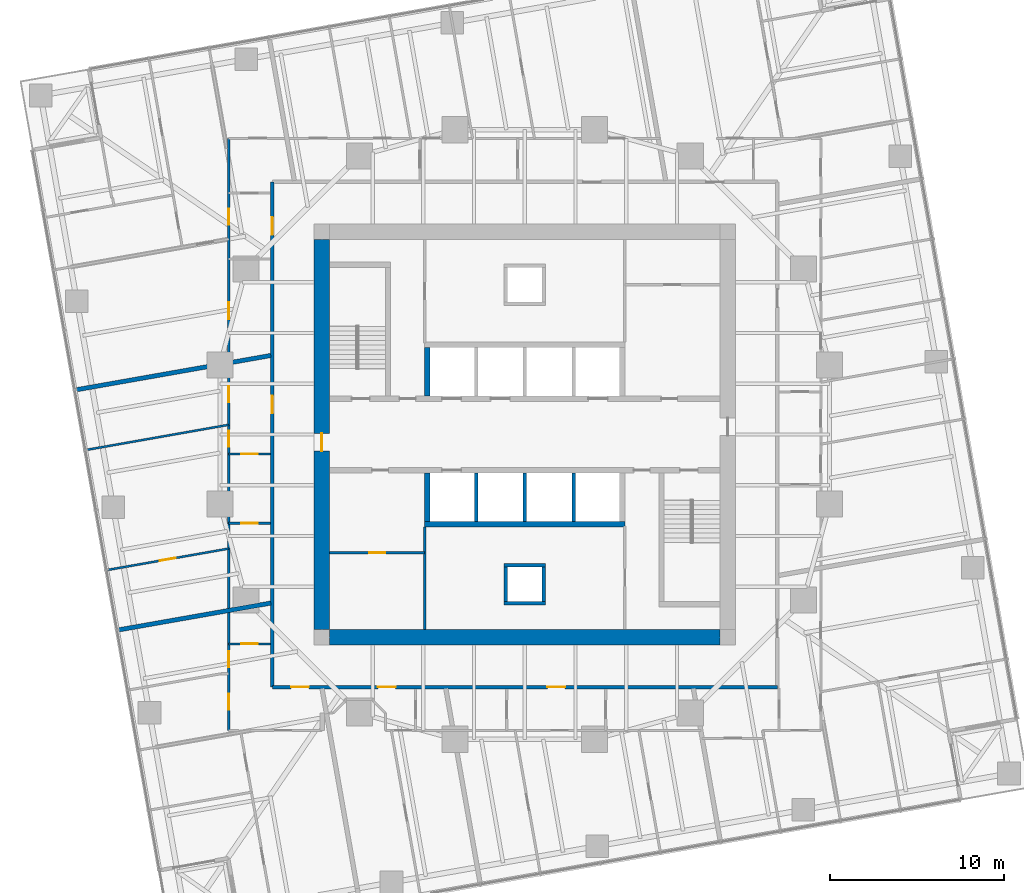
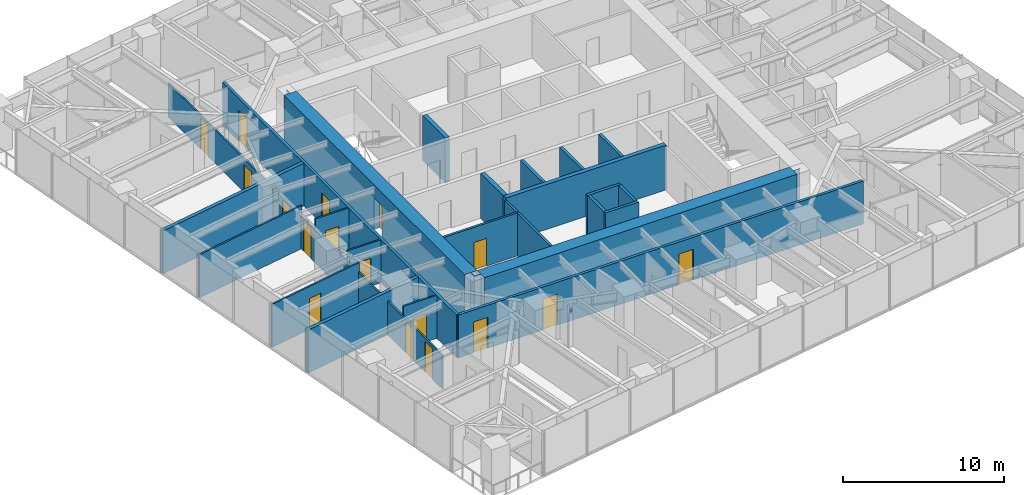
# One storey, part 9 of 14: 24 walls, 17 doors, 17 openings.
"""IFC4 building model written with IfcOpenShell, lengths in metres."""

from ifc_helpers import new_model, si_unit, direction, frame, frame_2d, origin, place, context, subcontext, project, spatial, polyline, rectangle, outline, extrude, material, layer, layer_set, type_object, element, fill, save


model = new_model("IFC4")

# Units and contexts
model_context = context("Model", 3, precision=1e-05, world=origin(), true_north=direction((0.0, 1.0)))
body_context = subcontext(model_context, "Body", "Model", "MODEL_VIEW")
ifc_project = project(units=[si_unit("LENGTHUNIT", "METRE"), si_unit("AREAUNIT", "SQUARE_METRE"), si_unit("VOLUMEUNIT", "CUBIC_METRE"), si_unit("PLANEANGLEUNIT", "RADIAN"), si_unit("MASSUNIT", "GRAM", prefix="KILO")], contexts=[model_context])

# Site, building, storey
site_placement = place(None, origin())
site = spatial("IfcSite", under=ifc_project, at=site_placement, CompositionType="ELEMENT")
building_placement = place(site_placement, origin())
building = spatial("IfcBuilding", under=site, at=building_placement, Name="Torsade Residences", CompositionType="ELEMENT")
storey_placement = place(building_placement, frame((0.0, 0.0, 79.39990234375)))
storey = spatial("IfcBuildingStorey", under=building, at=storey_placement, Name="L21", CompositionType="ELEMENT", Elevation=79.39990234375)

# Walls
ifc_material_1 = material(Name="Concrete 80 MPa", Category="concrete")
ifc_layer_1 = layer(ifc_material_1, 0.300048828125)
ifc_layer_set_1 = layer_set([ifc_layer_1], Name="Concrete 80 MPa")
wall_type_1 = type_object("IfcWallType", Name="CORE INTERNAL WALL 300", PredefinedType="SHEAR", material=ifc_layer_set_1)
wall_1_placement = place(storey_placement, frame((45.75, 24.85009765625, 0.0), z_axis=(0.0, 0.0, 1.0), x_axis=(-1.0, 0.0, 0.0)))
element("IfcWall", 1, at=wall_1_placement, inside=storey, type_object=wall_type_1, Name="Core wall BS L21", PredefinedType="SHEAR", context=body_context, shape_type="SweptSolid", body=[
    extrude(rectangle(XDim=11.5, YDim=0.300048828125, at=frame_2d((5.75, 0.0))), origin(), (0.0, 0.0, 1.0), 3.400146484375),
])
for number, where, z_axis, x_axis, name in (
    (2, (34.39990234375, 32.199951171875, 0.0), (0.0, 0.0, 1.0), (0.0, 1.0, 0.0), "Core wall DN0 L21"),
    (3, (34.39990234375, 27.800048828125, 0.0), (0.0, 0.0, 1.0), (0.0, -1.0, 0.0), "Core wall DS4 L21"),
):
    element("IfcWall", number, at=place(storey_placement, frame(where, z_axis=z_axis, x_axis=x_axis)), inside=storey, type_object=wall_type_1, Name=name, PredefinedType="SHEAR", context=body_context, shape_type="SweptSolid", body=[
        extrude(rectangle(XDim=2.800048828125, YDim=0.300048828125, at=frame_2d((1.39990234375, 0.0))), origin(), (0.0, 0.0, 1.0), 3.400146484375),
    ])
ifc_material_2 = material(Name="Concrete 80 MPa", Category="concrete")
ifc_layer_2 = layer(ifc_material_2, 0.89990234375)
ifc_layer_set_2 = layer_set([ifc_layer_2], Name="Concrete 80 MPa")
wall_type_2 = type_object("IfcWallType", Name="CORE WALL 900", PredefinedType="SHEAR", material=ifc_layer_set_2)
wall_2_placement = place(storey_placement, frame((51.199951171875, 18.35009765625, 0.0), z_axis=(0.0, 0.0, 1.0), x_axis=(-1.0, 0.0, 0.0)))
element("IfcWall", 4, at=wall_2_placement, inside=storey, type_object=wall_type_2, Name="Core wall S L21", PredefinedType="SHEAR", context=body_context, shape_type="SweptSolid", body=[
    extrude(outline(polyline([(0.0, -0.449951171875), (22.39990234375, -0.449951171875), (22.39990234375, -0.02490234375), (22.849853515625, -0.02490234375), (22.849853515625, 0.02490234375), (22.39990234375, 0.02490234375), (22.39990234375, 0.449951171875), (0.0, 0.449951171875), (0.0, 0.02490234375), (-0.449951171875, 0.02490234375), (-0.449951171875, -0.02490234375), (0.0, -0.02490234375), (0.0, -0.449951171875)])), origin(), (0.0, 0.0, 1.0), 3.400146484375),
])

# Wall, opening, door
wall_3_placement = place(storey_placement, frame((28.35009765625, 41.199951171875, 0.0), z_axis=(0.0, 0.0, 1.0), x_axis=(0.0, -1.0, 0.0)))
wall_3 = element("IfcWall", 5, at=wall_3_placement, inside=storey, type_object=wall_type_2, Name="Core wall W L21", PredefinedType="SHEAR", context=body_context, shape_type="SweptSolid", body=[
    extrude(outline(polyline([(0.0, -0.449951171875), (22.39990234375, -0.449951171875), (22.39990234375, -0.02490234375), (22.849853515625, -0.02490234375), (22.849853515625, 0.02490234375), (22.39990234375, 0.02490234375), (22.39990234375, 0.449951171875), (0.0, 0.449951171875), (0.0, 0.02490234375), (-0.449951171875, 0.02490234375), (-0.449951171875, -0.02490234375), (0.0, -0.02490234375), (0.0, -0.449951171875)])), origin(), (0.0, 0.0, 1.0), 3.400146484375),
])
opening_1_placement = place(wall_3_placement, frame((11.139892578125, 0.0, 0.0)))
opening_1 = element("IfcOpeningElement", 6, at=opening_1_placement, cuts=wall_3, Name="Opening D04", PredefinedType="OPENING", context=body_context, shape_type="SweptSolid", body=[
    extrude(rectangle(XDim=1.02001953125, YDim=2.39990234375, at=frame_2d((0.510009765625, 1.199951171875))), frame((0.0, 0.4599609375, 0.0), z_axis=(0.0, -1.0, 0.0), x_axis=(1.0, 0.0, 0.0)), (0.0, 0.0, 1.0), 0.919921875),
])
ifc_material_3 = material(Name="Steel-framed fire door", Category="steel")
door_type_1 = type_object("IfcDoorType", Name="LOBBY SMOKE DOOR 1020x2400", OperationType="NOTDEFINED", PredefinedType="DOOR", material=ifc_material_3)
door_1_placement = place(opening_1_placement, origin())
door_1 = element("IfcDoor", 7, at=door_1_placement, inside=storey, type_object=door_type_1, Name="Lift lobby door W L21", OperationType="SINGLE_SWING_RIGHT", OverallHeight=2.39990234375, OverallWidth=1.02001953125, PredefinedType="DOOR", context=body_context, shape_type="SweptSolid", body=[
    extrude(rectangle(XDim=1.02001953125, YDim=2.39990234375, at=frame_2d((0.510009765625, 1.199951171875))), frame((0.0, 0.02490234375, 0.0), z_axis=(0.0, -1.0, 0.0), x_axis=(1.0, 0.0, 0.0)), (0.0, 0.0, 1.0), 0.050048828125),
])
fill(opening_1, door_1)

# Wall, openings, doors
ifc_material_4 = material(Name="Plasterboard on steel stud", Category="steel")
ifc_layer_3 = layer(ifc_material_4, 0.199951171875)
ifc_layer_set_3 = layer_set([ifc_layer_3], Name="Plasterboard on steel stud")
wall_type_3 = type_object("IfcWallType", Name="CORRIDOR WALL 200", PredefinedType="PARTITIONING", material=ifc_layer_set_3)
wall_4_placement = place(storey_placement, frame((25.5, 15.5, 0.0), z_axis=(0.0, 0.0, 1.0), x_axis=(1.0, 0.0, 0.0)))
wall_4 = element("IfcWall", 8, at=wall_4_placement, inside=storey, type_object=wall_type_3, Name="Corridor wall L21", PredefinedType="PARTITIONING", context=body_context, shape_type="SweptSolid", body=[
    extrude(rectangle(XDim=29.0, YDim=0.199951171875, at=frame_2d((14.5, 0.0))), origin(), (0.0, 0.0, 1.0), 3.25),
])
opening_2_placement = place(wall_4_placement, frame((15.79443359375, 0.0, 0.0)))
opening_2 = element("IfcOpeningElement", 9, at=opening_2_placement, cuts=wall_4, Name="Opening D01", PredefinedType="OPENING", context=body_context, shape_type="SweptSolid", body=[
    extrude(rectangle(XDim=1.02001953125, YDim=2.340087890625, at=frame_2d((0.510009765625, 1.169921875))), frame((0.0, 0.10986328125, 0.0), z_axis=(0.0, -1.0, 0.0), x_axis=(1.0, 0.0, 0.0)), (0.0, 0.0, 1.0), 0.219970703125),
])
opening_3_placement = place(wall_4_placement, frame((6.0673828125, 0.0, 0.0)))
opening_3 = element("IfcOpeningElement", 10, at=opening_3_placement, cuts=wall_4, Name="Opening D01", PredefinedType="OPENING", context=body_context, shape_type="SweptSolid", body=[
    extrude(rectangle(XDim=1.02001953125, YDim=2.340087890625, at=frame_2d((0.510009765625, 1.169921875))), frame((0.0, 0.10986328125, 0.0), z_axis=(0.0, -1.0, 0.0), x_axis=(1.0, 0.0, 0.0)), (0.0, 0.0, 1.0), 0.219970703125),
])
opening_4_placement = place(wall_4_placement, frame((1.07861328125, 0.0, 0.0)))
opening_4 = element("IfcOpeningElement", 11, at=opening_4_placement, cuts=wall_4, Name="Opening D01", PredefinedType="OPENING", context=body_context, shape_type="SweptSolid", body=[
    extrude(rectangle(XDim=1.02001953125, YDim=2.340087890625, at=frame_2d((0.510009765625, 1.169921875))), frame((0.0, 0.10986328125, 0.0), z_axis=(0.0, -1.0, 0.0), x_axis=(1.0, 0.0, 0.0)), (0.0, 0.0, 1.0), 0.219970703125),
])
ifc_material_5 = material(Name="Solid-core timber fire door", Category="wood")
door_type_2 = type_object("IfcDoorType", Name="APARTMENT ENTRY DOOR 1020x2340", OperationType="NOTDEFINED", PredefinedType="DOOR", material=ifc_material_5)
door_2_placement = place(opening_2_placement, origin())
door_2 = element("IfcDoor", 12, at=door_2_placement, inside=storey, type_object=door_type_2, Name="Door Residential corridor to Kitchen and dining", OperationType="SINGLE_SWING_LEFT", OverallHeight=2.340087890625, OverallWidth=1.02001953125, PredefinedType="DOOR", context=body_context, shape_type="SweptSolid", body=[
    extrude(rectangle(XDim=1.02001953125, YDim=2.340087890625, at=frame_2d((0.510009765625, 1.169921875))), frame((0.0, 0.02490234375, 0.0), z_axis=(0.0, -1.0, 0.0), x_axis=(1.0, 0.0, 0.0)), (0.0, 0.0, 1.0), 0.050048828125),
])
fill(opening_2, door_2)
door_3_placement = place(opening_3_placement, origin())
door_3 = element("IfcDoor", 13, at=door_3_placement, inside=storey, type_object=door_type_2, Name="Door Residential corridor to Kitchen and dining", OperationType="SINGLE_SWING_RIGHT", OverallHeight=2.340087890625, OverallWidth=1.02001953125, PredefinedType="DOOR", context=body_context, shape_type="SweptSolid", body=[
    extrude(rectangle(XDim=1.02001953125, YDim=2.340087890625, at=frame_2d((0.510009765625, 1.169921875))), frame((0.0, 0.02490234375, 0.0), z_axis=(0.0, -1.0, 0.0), x_axis=(1.0, 0.0, 0.0)), (0.0, 0.0, 1.0), 0.050048828125),
])
fill(opening_3, door_3)
door_4_placement = place(opening_4_placement, origin())
door_4 = element("IfcDoor", 14, at=door_4_placement, inside=storey, type_object=door_type_2, Name="Door Residential corridor to Kitchen and dining", OperationType="SINGLE_SWING_LEFT", OverallHeight=2.340087890625, OverallWidth=1.02001953125, PredefinedType="DOOR", context=body_context, shape_type="SweptSolid", body=[
    extrude(rectangle(XDim=1.02001953125, YDim=2.340087890625, at=frame_2d((0.510009765625, 1.169921875))), frame((0.0, 0.02490234375, 0.0), z_axis=(0.0, -1.0, 0.0), x_axis=(1.0, 0.0, 0.0)), (0.0, 0.0, 1.0), 0.050048828125),
])
fill(opening_4, door_4)

wall_5_placement = place(storey_placement, frame((25.5, 44.5, 0.0), z_axis=(0.0, 0.0, 1.0), x_axis=(0.0, -1.0, 0.0)))
wall_5 = element("IfcWall", 15, at=wall_5_placement, inside=storey, type_object=wall_type_3, Name="Corridor wall L21", PredefinedType="PARTITIONING", context=body_context, shape_type="SweptSolid", body=[
    extrude(rectangle(XDim=29.0, YDim=0.199951171875, at=frame_2d((14.5, 0.0))), origin(), (0.0, 0.0, 1.0), 3.25),
])
opening_5_placement = place(wall_5_placement, frame((12.262939453125, 0.0, 0.0)))
opening_5 = element("IfcOpeningElement", 16, at=opening_5_placement, cuts=wall_5, Name="Opening D01", PredefinedType="OPENING", context=body_context, shape_type="SweptSolid", body=[
    extrude(rectangle(XDim=1.02001953125, YDim=2.340087890625, at=frame_2d((0.510009765625, 1.169921875))), frame((0.0, 0.10986328125, 0.0), z_axis=(0.0, -1.0, 0.0), x_axis=(1.0, 0.0, 0.0)), (0.0, 0.0, 1.0), 0.219970703125),
])
opening_6_placement = place(wall_5_placement, frame((2.01806640625, 0.0, 0.0)))
opening_6 = element("IfcOpeningElement", 17, at=opening_6_placement, cuts=wall_5, Name="Opening D01", PredefinedType="OPENING", context=body_context, shape_type="SweptSolid", body=[
    extrude(rectangle(XDim=1.02001953125, YDim=2.340087890625, at=frame_2d((0.510009765625, 1.169921875))), frame((0.0, 0.10986328125, 0.0), z_axis=(0.0, -1.0, 0.0), x_axis=(1.0, 0.0, 0.0)), (0.0, 0.0, 1.0), 0.219970703125),
])
door_5_placement = place(opening_5_placement, origin())
door_5 = element("IfcDoor", 18, at=door_5_placement, inside=storey, type_object=door_type_2, Name="Door Residential corridor to Kitchen and dining", OperationType="SINGLE_SWING_RIGHT", OverallHeight=2.340087890625, OverallWidth=1.02001953125, PredefinedType="DOOR", context=body_context, shape_type="SweptSolid", body=[
    extrude(rectangle(XDim=1.02001953125, YDim=2.340087890625, at=frame_2d((0.510009765625, 1.169921875))), frame((0.0, 0.02490234375, 0.0), z_axis=(0.0, -1.0, 0.0), x_axis=(1.0, 0.0, 0.0)), (0.0, 0.0, 1.0), 0.050048828125),
])
fill(opening_5, door_5)
door_6_placement = place(opening_6_placement, origin())
door_6 = element("IfcDoor", 19, at=door_6_placement, inside=storey, type_object=door_type_2, Name="Door Residential corridor to Kitchen and dining", OperationType="SINGLE_SWING_LEFT", OverallHeight=2.340087890625, OverallWidth=1.02001953125, PredefinedType="DOOR", context=body_context, shape_type="SweptSolid", body=[
    extrude(rectangle(XDim=1.02001953125, YDim=2.340087890625, at=frame_2d((0.510009765625, 1.169921875))), frame((0.0, 0.02490234375, 0.0), z_axis=(0.0, -1.0, 0.0), x_axis=(1.0, 0.0, 0.0)), (0.0, 0.0, 1.0), 0.050048828125),
])
fill(opening_6, door_6)

# Walls
ifc_material_6 = material(Name="Reinforced blockwork", Category="masonry")
ifc_layer_4 = layer(ifc_material_6, 0.199951171875)
ifc_layer_set_4 = layer_set([ifc_layer_4], Name="Reinforced blockwork")
wall_type_4 = type_object("IfcWallType", Name="LIFT SHAFT DIVIDING WALL 200", PredefinedType="SOLIDWALL", material=ifc_layer_set_4)
for number, where, z_axis, x_axis, name in (
    (20, (42.800048828125, 27.800048828125, 0.0), (0.0, 0.0, 1.0), (0.0, -1.0, 0.0), "Core wall DS1 L21"),
    (21, (40.0, 27.800048828125, 0.0), (0.0, 0.0, 1.0), (0.0, -1.0, 0.0), "Core wall DS2 L21"),
    (22, (37.199951171875, 27.800048828125, 0.0), (0.0, 0.0, 1.0), (0.0, -1.0, 0.0), "Core wall DS3 L21"),
):
    element("IfcWall", number, at=place(storey_placement, frame(where, z_axis=z_axis, x_axis=x_axis)), inside=storey, type_object=wall_type_4, Name=name, PredefinedType="SOLIDWALL", context=body_context, shape_type="SweptSolid", body=[
        extrude(rectangle(XDim=2.800048828125, YDim=0.199951171875, at=frame_2d((1.39990234375, 0.0))), origin(), (0.0, 0.0, 1.0), 3.400146484375),
    ])

# Wall, opening, door
ifc_material_7 = material(Name="Plasterboard on steel stud", Category="steel")
ifc_layer_5 = layer(ifc_material_7, 0.1201171875)
ifc_layer_set_5 = layer_set([ifc_layer_5], Name="Plasterboard on steel stud")
wall_type_5 = type_object("IfcWallType", Name="PARTITION 120", PredefinedType="PARTITIONING", material=ifc_layer_set_5)
wall_6_placement = place(storey_placement, frame((25.39990234375, 28.881591796875, 0.0), z_axis=(0.0, 0.0, 1.0), x_axis=(-1.0, 0.0, 0.0)))
wall_6 = element("IfcWall", 23, at=wall_6_placement, inside=storey, type_object=wall_type_5, Name="Partition L21", PredefinedType="PARTITIONING", context=body_context, shape_type="SweptSolid", body=[
    extrude(rectangle(XDim=2.39990234375, YDim=0.1201171875, at=frame_2d((1.199951171875, 0.0))), origin(), (0.0, 0.0, 1.0), 3.25),
])
opening_7_placement = place(wall_6_placement, frame((0.719970703125, 0.0, 0.0)))
opening_7 = element("IfcOpeningElement", 24, at=opening_7_placement, cuts=wall_6, Name="Opening D05", PredefinedType="OPENING", context=body_context, shape_type="SweptSolid", body=[
    extrude(rectangle(XDim=0.9599609375, YDim=2.10009765625, at=frame_2d((0.47998046875, 1.050048828125))), frame((0.0, 0.070068359375, 0.0), z_axis=(0.0, -1.0, 0.0), x_axis=(1.0, 0.0, 0.0)), (0.0, 0.0, 1.0), 0.14013671875),
])
ifc_material_8 = material(Name="Hollow-core timber door in a steel cavity frame", Category="steel")
door_type_3 = type_object("IfcDoorType", Name="BATHROOM CAVITY SLIDING DOOR 960", OperationType="SLIDING_TO_LEFT", PredefinedType="DOOR", material=ifc_material_8)
door_7_placement = place(opening_7_placement, origin())
door_7 = element("IfcDoor", 25, at=door_7_placement, inside=storey, type_object=door_type_3, Name="Door Kitchen and dining to Ensuite", OperationType="SLIDING_TO_LEFT", OverallHeight=2.10009765625, OverallWidth=0.9599609375, PredefinedType="DOOR", context=body_context, shape_type="SweptSolid", body=[
    extrude(rectangle(XDim=0.9599609375, YDim=2.10009765625, at=frame_2d((0.47998046875, 1.050048828125))), frame((0.0, 0.02490234375, 0.0), z_axis=(0.0, -1.0, 0.0), x_axis=(1.0, 0.0, 0.0)), (0.0, 0.0, 1.0), 0.050048828125),
])
fill(opening_7, door_7)

# Wall, openings, doors
wall_7_placement = place(storey_placement, frame((23.0, 13.0, 0.0), z_axis=(0.0, 0.0, 1.0), x_axis=(0.0, 1.0, 0.0)))
wall_7 = element("IfcWall", 26, at=wall_7_placement, inside=storey, type_object=wall_type_5, Name="Partition L21", PredefinedType="PARTITIONING", context=body_context, shape_type="SweptSolid", body=[
    extrude(rectangle(XDim=34.0, YDim=0.1201171875, at=frame_2d((17.0, 0.0))), origin(), (0.0, 0.0, 1.0), 2.550048828125),
])
opening_8_placement = place(wall_7_placement, frame((18.84814453125, 0.0, 0.0)))
opening_8 = element("IfcOpeningElement", 27, at=opening_8_placement, cuts=wall_7, Name="Opening D02", PredefinedType="OPENING", context=body_context, shape_type="SweptSolid", body=[
    extrude(rectangle(XDim=0.919921875, YDim=2.340087890625, at=frame_2d((0.4599609375, 1.169921875))), frame((0.0, 0.070068359375, 0.0), z_axis=(0.0, -1.0, 0.0), x_axis=(1.0, 0.0, 0.0)), (0.0, 0.0, 1.0), 0.14013671875),
])
opening_9_placement = place(wall_7_placement, frame((16.284423828125, 0.0, 0.0)))
opening_9 = element("IfcOpeningElement", 28, at=opening_9_placement, cuts=wall_7, Name="Opening D02", PredefinedType="OPENING", context=body_context, shape_type="SweptSolid", body=[
    extrude(rectangle(XDim=0.919921875, YDim=2.340087890625, at=frame_2d((0.4599609375, 1.169921875))), frame((0.0, 0.070068359375, 0.0), z_axis=(0.0, -1.0, 0.0), x_axis=(1.0, 0.0, 0.0)), (0.0, 0.0, 1.0), 0.14013671875),
])
opening_10_placement = place(wall_7_placement, frame((29.0517578125, 0.0, 0.0)))
opening_10 = element("IfcOpeningElement", 29, at=opening_10_placement, cuts=wall_7, Name="Opening D02", PredefinedType="OPENING", context=body_context, shape_type="SweptSolid", body=[
    extrude(rectangle(XDim=0.919921875, YDim=2.340087890625, at=frame_2d((0.4599609375, 1.169921875))), frame((0.0, 0.070068359375, 0.0), z_axis=(0.0, -1.0, 0.0), x_axis=(1.0, 0.0, 0.0)), (0.0, 0.0, 1.0), 0.14013671875),
])
opening_11_placement = place(wall_7_placement, frame((1.195556640625, 0.0, 0.0)))
opening_11 = element("IfcOpeningElement", 30, at=opening_11_placement, cuts=wall_7, Name="Opening D02", PredefinedType="OPENING", context=body_context, shape_type="SweptSolid", body=[
    extrude(rectangle(XDim=0.919921875, YDim=2.340087890625, at=frame_2d((0.4599609375, 1.169921875))), frame((0.0, 0.070068359375, 0.0), z_axis=(0.0, -1.0, 0.0), x_axis=(1.0, 0.0, 0.0)), (0.0, 0.0, 1.0), 0.14013671875),
])
opening_12_placement = place(wall_7_placement, frame((3.6328125, 0.0, 0.0)))
opening_12 = element("IfcOpeningElement", 31, at=opening_12_placement, cuts=wall_7, Name="Opening D02", PredefinedType="OPENING", context=body_context, shape_type="SweptSolid", body=[
    extrude(rectangle(XDim=0.919921875, YDim=2.340087890625, at=frame_2d((0.4599609375, 1.169921875))), frame((0.0, 0.070068359375, 0.0), z_axis=(0.0, -1.0, 0.0), x_axis=(1.0, 0.0, 0.0)), (0.0, 0.0, 1.0), 0.14013671875),
])
opening_13_placement = place(wall_7_placement, frame((23.619140625, 0.0, 0.0)))
opening_13 = element("IfcOpeningElement", 32, at=opening_13_placement, cuts=wall_7, Name="Opening D05", PredefinedType="OPENING", context=body_context, shape_type="SweptSolid", body=[
    extrude(rectangle(XDim=0.9599609375, YDim=2.10009765625, at=frame_2d((0.47998046875, 1.050048828125))), frame((0.0, 0.070068359375, 0.0), z_axis=(0.0, -1.0, 0.0), x_axis=(1.0, 0.0, 0.0)), (0.0, 0.0, 1.0), 0.14013671875),
])
door_8_placement = place(opening_13_placement, origin())
door_8 = element("IfcDoor", 33, at=door_8_placement, inside=storey, type_object=door_type_3, Name="Door Living room to Bathroom", OperationType="SLIDING_TO_LEFT", OverallHeight=2.10009765625, OverallWidth=0.9599609375, PredefinedType="DOOR", context=body_context, shape_type="SweptSolid", body=[
    extrude(rectangle(XDim=0.9599609375, YDim=2.10009765625, at=frame_2d((0.47998046875, 1.050048828125))), frame((0.0, 0.02490234375, 0.0), z_axis=(0.0, -1.0, 0.0), x_axis=(1.0, 0.0, 0.0)), (0.0, 0.0, 1.0), 0.050048828125),
])
fill(opening_13, door_8)
ifc_material_9 = material(Name="Hollow-core timber door", Category="wood")
door_type_4 = type_object("IfcDoorType", Name="INTERNAL DOOR 920x2340", OperationType="NOTDEFINED", PredefinedType="DOOR", material=ifc_material_9)
door_9_placement = place(opening_8_placement, origin())
door_9 = element("IfcDoor", 34, at=door_9_placement, inside=storey, type_object=door_type_4, Name="Door Kitchen and dining to Bedroom 1", OperationType="SINGLE_SWING_RIGHT", OverallHeight=2.340087890625, OverallWidth=0.919921875, PredefinedType="DOOR", context=body_context, shape_type="SweptSolid", body=[
    extrude(rectangle(XDim=0.919921875, YDim=2.340087890625, at=frame_2d((0.4599609375, 1.169921875))), frame((0.0, 0.02490234375, 0.0), z_axis=(0.0, -1.0, 0.0), x_axis=(1.0, 0.0, 0.0)), (0.0, 0.0, 1.0), 0.050048828125),
])
fill(opening_8, door_9)
door_10_placement = place(opening_9_placement, origin())
door_10 = element("IfcDoor", 35, at=door_10_placement, inside=storey, type_object=door_type_4, Name="Door Kitchen and dining to Living room", OperationType="SINGLE_SWING_RIGHT", OverallHeight=2.340087890625, OverallWidth=0.919921875, PredefinedType="DOOR", context=body_context, shape_type="SweptSolid", body=[
    extrude(rectangle(XDim=0.919921875, YDim=2.340087890625, at=frame_2d((0.4599609375, 1.169921875))), frame((0.0, 0.02490234375, 0.0), z_axis=(0.0, -1.0, 0.0), x_axis=(1.0, 0.0, 0.0)), (0.0, 0.0, 1.0), 0.050048828125),
])
fill(opening_9, door_10)
door_11_placement = place(opening_10_placement, origin())
door_11 = element("IfcDoor", 36, at=door_11_placement, inside=storey, type_object=door_type_4, Name="Door Kitchen and dining to Bedroom 1", OperationType="SINGLE_SWING_LEFT", OverallHeight=2.340087890625, OverallWidth=0.919921875, PredefinedType="DOOR", context=body_context, shape_type="SweptSolid", body=[
    extrude(rectangle(XDim=0.919921875, YDim=2.340087890625, at=frame_2d((0.4599609375, 1.169921875))), frame((0.0, 0.02490234375, 0.0), z_axis=(0.0, -1.0, 0.0), x_axis=(1.0, 0.0, 0.0)), (0.0, 0.0, 1.0), 0.050048828125),
])
fill(opening_10, door_11)
door_12_placement = place(opening_11_placement, origin())
door_12 = element("IfcDoor", 37, at=door_12_placement, inside=storey, type_object=door_type_4, Name="Door Kitchen and dining to Family room", OperationType="SINGLE_SWING_RIGHT", OverallHeight=2.340087890625, OverallWidth=0.919921875, PredefinedType="DOOR", context=body_context, shape_type="SweptSolid", body=[
    extrude(rectangle(XDim=0.919921875, YDim=2.340087890625, at=frame_2d((0.4599609375, 1.169921875))), frame((0.0, 0.02490234375, 0.0), z_axis=(0.0, -1.0, 0.0), x_axis=(1.0, 0.0, 0.0)), (0.0, 0.0, 1.0), 0.050048828125),
])
fill(opening_11, door_12)
door_13_placement = place(opening_12_placement, origin())
door_13 = element("IfcDoor", 38, at=door_13_placement, inside=storey, type_object=door_type_4, Name="Door Kitchen and dining to Bedroom 2", OperationType="SINGLE_SWING_LEFT", OverallHeight=2.340087890625, OverallWidth=0.919921875, PredefinedType="DOOR", context=body_context, shape_type="SweptSolid", body=[
    extrude(rectangle(XDim=0.919921875, YDim=2.340087890625, at=frame_2d((0.4599609375, 1.169921875))), frame((0.0, 0.02490234375, 0.0), z_axis=(0.0, -1.0, 0.0), x_axis=(1.0, 0.0, 0.0)), (0.0, 0.0, 1.0), 0.050048828125),
])
fill(opening_12, door_13)

# Wall, opening, door
wall_8_placement = place(storey_placement, frame((23.0, 24.90478515625, 0.0), z_axis=(0.0, 0.0, 1.0), x_axis=(1.0, 0.0, 0.0)))
wall_8 = element("IfcWall", 39, at=wall_8_placement, inside=storey, type_object=wall_type_5, Name="Partition L21", PredefinedType="PARTITIONING", context=body_context, shape_type="SweptSolid", body=[
    extrude(rectangle(XDim=2.39990234375, YDim=0.1201171875, at=frame_2d((1.199951171875, 0.0))), origin(), (0.0, 0.0, 1.0), 3.25),
])
opening_14_placement = place(wall_8_placement, frame((0.719970703125, 0.0, 0.0)))
opening_14 = element("IfcOpeningElement", 40, at=opening_14_placement, cuts=wall_8, Name="Opening D05", PredefinedType="OPENING", context=body_context, shape_type="SweptSolid", body=[
    extrude(rectangle(XDim=0.9599609375, YDim=2.10009765625, at=frame_2d((0.47998046875, 1.050048828125))), frame((0.0, 0.070068359375, 0.0), z_axis=(0.0, -1.0, 0.0), x_axis=(1.0, 0.0, 0.0)), (0.0, 0.0, 1.0), 0.14013671875),
])
door_14_placement = place(opening_14_placement, origin())
door_14 = element("IfcDoor", 41, at=door_14_placement, inside=storey, type_object=door_type_3, Name="Door Ensuite to Bathroom", OperationType="SLIDING_TO_LEFT", OverallHeight=2.10009765625, OverallWidth=0.9599609375, PredefinedType="DOOR", context=body_context, shape_type="SweptSolid", body=[
    extrude(rectangle(XDim=0.9599609375, YDim=2.10009765625, at=frame_2d((0.47998046875, 1.050048828125))), frame((0.0, 0.02490234375, 0.0), z_axis=(0.0, -1.0, 0.0), x_axis=(1.0, 0.0, 0.0)), (0.0, 0.0, 1.0), 0.050048828125),
])
fill(opening_14, door_14)

# Wall
wall_9_placement = place(storey_placement, frame((14.8115234375, 29.112548828125, 0.0), z_axis=(0.0, 0.0, 1.0), x_axis=(0.984807787824, 0.173647980238, 0.0)))
element("IfcWall", 42, at=wall_9_placement, inside=storey, type_object=wall_type_5, Name="Partition L21", PredefinedType="PARTITIONING", context=body_context, shape_type="SweptSolid", body=[
    extrude(rectangle(XDim=8.314697265625, YDim=0.1201171875, at=frame_2d((4.1572265625, 0.0))), origin(), (0.0, 0.0, 1.0), 3.25),
])

# Wall, opening, door
wall_10_placement = place(storey_placement, frame((23.0, 23.448486328125, 0.0), z_axis=(0.0, 0.0, 1.0), x_axis=(-0.984809234282, -0.173639776761, 0.0)))
wall_10 = element("IfcWall", 43, at=wall_10_placement, inside=storey, type_object=wall_type_5, Name="Partition L21", PredefinedType="PARTITIONING", context=body_context, shape_type="SweptSolid", body=[
    extrude(rectangle(XDim=7.080810546875, YDim=0.1201171875, at=frame_2d((3.54052734375, 0.0))), origin(), (0.0, 0.0, 1.0), 3.25),
])
opening_15_placement = place(wall_10_placement, frame((3.100341796875, 0.0, 0.0)))
opening_15 = element("IfcOpeningElement", 44, at=opening_15_placement, cuts=wall_10, Name="Opening D02", PredefinedType="OPENING", context=body_context, shape_type="SweptSolid", body=[
    extrude(rectangle(XDim=0.919921875, YDim=2.340087890625, at=frame_2d((0.4599609375, 1.169921875))), frame((0.0, 0.070068359375, 0.0), z_axis=(0.0, -1.0, 0.0), x_axis=(1.0, 0.0, 0.0)), (0.0, 0.0, 1.0), 0.14013671875),
])
door_15_placement = place(opening_15_placement, origin())
door_15 = element("IfcDoor", 45, at=door_15_placement, inside=storey, type_object=door_type_4, Name="Door Living room to Bedroom 2", OperationType="SINGLE_SWING_RIGHT", OverallHeight=2.340087890625, OverallWidth=0.919921875, PredefinedType="DOOR", context=body_context, shape_type="SweptSolid", body=[
    extrude(rectangle(XDim=0.919921875, YDim=2.340087890625, at=frame_2d((0.4599609375, 1.169921875))), frame((0.0, 0.02490234375, 0.0), z_axis=(0.0, -1.0, 0.0), x_axis=(1.0, 0.0, 0.0)), (0.0, 0.0, 1.0), 0.050048828125),
])
fill(opening_15, door_15)

wall_11_placement = place(storey_placement, frame((23.0, 17.974609375, 0.0), z_axis=(0.0, 0.0, 1.0), x_axis=(1.0, 0.0, 0.0)))
wall_11 = element("IfcWall", 46, at=wall_11_placement, inside=storey, type_object=wall_type_5, Name="Partition L21", PredefinedType="PARTITIONING", context=body_context, shape_type="SweptSolid", body=[
    extrude(rectangle(XDim=2.39990234375, YDim=0.1201171875, at=frame_2d((1.199951171875, 0.0))), origin(), (0.0, 0.0, 1.0), 3.25),
])
opening_16_placement = place(wall_11_placement, frame((0.719970703125, 0.0, 0.0)))
opening_16 = element("IfcOpeningElement", 47, at=opening_16_placement, cuts=wall_11, Name="Opening D05", PredefinedType="OPENING", context=body_context, shape_type="SweptSolid", body=[
    extrude(rectangle(XDim=0.9599609375, YDim=2.10009765625, at=frame_2d((0.47998046875, 1.050048828125))), frame((0.0, 0.070068359375, 0.0), z_axis=(0.0, -1.0, 0.0), x_axis=(1.0, 0.0, 0.0)), (0.0, 0.0, 1.0), 0.14013671875),
])
door_16_placement = place(opening_16_placement, origin())
door_16 = element("IfcDoor", 48, at=door_16_placement, inside=storey, type_object=door_type_3, Name="Door Kitchen and dining to Bathroom", OperationType="SLIDING_TO_LEFT", OverallHeight=2.10009765625, OverallWidth=0.9599609375, PredefinedType="DOOR", context=body_context, shape_type="SweptSolid", body=[
    extrude(rectangle(XDim=0.9599609375, YDim=2.10009765625, at=frame_2d((0.47998046875, 1.050048828125))), frame((0.0, 0.02490234375, 0.0), z_axis=(0.0, -1.0, 0.0), x_axis=(1.0, 0.0, 0.0)), (0.0, 0.0, 1.0), 0.050048828125),
])
fill(opening_16, door_16)

# Walls
ifc_material_10 = material(Name="Masonry-lined stud party wall", Category="masonry")
ifc_layer_6 = layer(ifc_material_10, 0.25)
ifc_layer_set_6 = layer_set([ifc_layer_6], Name="Masonry-lined stud party wall")
wall_type_6 = type_object("IfcWallType", Name="PARTY WALL 250", PredefinedType="PARTITIONING", material=ifc_layer_set_6)
wall_12_placement = place(storey_placement, frame((14.164306640625, 32.552490234375, 0.0), z_axis=(0.0, 0.0, 1.0), x_axis=(0.98481000304, 0.173635416642, 0.0)))
element("IfcWall", 49, at=wall_12_placement, inside=storey, type_object=wall_type_6, Name="Party wall L21", PredefinedType="PARTITIONING", context=body_context, shape_type="SweptSolid", body=[
    extrude(rectangle(XDim=11.427001953125, YDim=0.25, at=frame_2d((5.71337890625, 0.0))), origin(), (0.0, 0.0, 1.0), 3.25),
])
wall_13_placement = place(storey_placement, frame((16.595458984375, 18.76513671875, 0.0), z_axis=(0.0, 0.0, 1.0), x_axis=(0.984806596137, 0.173654738504, 0.0)))
element("IfcWall", 50, at=wall_13_placement, inside=storey, type_object=wall_type_6, Name="Party wall L21", PredefinedType="PARTITIONING", context=body_context, shape_type="SweptSolid", body=[
    extrude(rectangle(XDim=8.958251953125, YDim=0.25, at=frame_2d((4.47900390625, 0.0))), origin(), (0.0, 0.0, 1.0), 3.25),
])
ifc_material_11 = material(Name="Reinforced blockwork", Category="masonry")
ifc_layer_7 = layer(ifc_material_11, 0.199951171875)
ifc_layer_set_7 = layer_set([ifc_layer_7], Name="Reinforced blockwork")
wall_type_7 = type_object("IfcWallType", Name="RISER SHAFT WALL 200", PredefinedType="SOLIDWALL", material=ifc_layer_set_7)
for number, where, z_axis, x_axis, name in (
    (51, (38.89990234375, 22.39990234375, 0.0), (0.0, 0.0, 1.0), (0.0, -1.0, 0.0), "Core wall RS2a L21"),
    (52, (41.10009765625, 22.39990234375, 0.0), (0.0, 0.0, 1.0), (0.0, -1.0, 0.0), "Core wall RS2b L21"),
):
    element("IfcWall", number, at=place(storey_placement, frame(where, z_axis=z_axis, x_axis=x_axis)), inside=storey, type_object=wall_type_7, Name=name, PredefinedType="SOLIDWALL", context=body_context, shape_type="SweptSolid", body=[
        extrude(rectangle(XDim=2.0, YDim=0.199951171875, at=frame_2d((1.0, 0.0))), origin(), (0.0, 0.0, 1.0), 3.400146484375),
    ])
for number, where, z_axis, x_axis, name in (
    (53, (38.800048828125, 22.5, 0.0), (0.0, 0.0, 1.0), (1.0, 0.0, 0.0), "Core wall RS2c L21"),
    (54, (38.800048828125, 20.300048828125, 0.0), (0.0, 0.0, 1.0), (1.0, 0.0, 0.0), "Core wall RS2d L21"),
):
    element("IfcWall", number, at=place(storey_placement, frame(where, z_axis=z_axis, x_axis=x_axis)), inside=storey, type_object=wall_type_7, Name=name, PredefinedType="SOLIDWALL", context=body_context, shape_type="SweptSolid", body=[
        extrude(rectangle(XDim=2.39990234375, YDim=0.199951171875, at=frame_2d((1.199951171875, 0.0))), origin(), (0.0, 0.0, 1.0), 3.400146484375),
    ])
ifc_material_12 = material(Name="Reinforced blockwork", Category="masonry")
ifc_layer_8 = layer(ifc_material_12, 0.14990234375)
ifc_layer_set_8 = layer_set([ifc_layer_8], Name="Reinforced blockwork")
wall_type_8 = type_object("IfcWallType", Name="SERVICE ROOM WALL 150", PredefinedType="SOLIDWALL", material=ifc_layer_set_8)
wall_14_placement = place(storey_placement, frame((34.25, 18.800048828125, 0.0), z_axis=(0.0, 0.0, 1.0), x_axis=(0.0, 1.0, 0.0)))
element("IfcWall", 55, at=wall_14_placement, inside=storey, type_object=wall_type_8, Name="Service room wall L21", PredefinedType="SOLIDWALL", context=body_context, shape_type="SweptSolid", body=[
    extrude(rectangle(XDim=5.89990234375, YDim=0.14990234375, at=frame_2d((2.949951171875, 0.0))), origin(), (0.0, 0.0, 1.0), 3.25),
])

# Wall, opening, door
wall_15_placement = place(storey_placement, frame((34.25, 23.199951171875, 0.0), z_axis=(0.0, 0.0, 1.0), x_axis=(-1.0, 0.0, 0.0)))
wall_15 = element("IfcWall", 56, at=wall_15_placement, inside=storey, type_object=wall_type_8, Name="Service room wall L21", PredefinedType="SOLIDWALL", context=body_context, shape_type="SweptSolid", body=[
    extrude(rectangle(XDim=5.449951171875, YDim=0.14990234375, at=frame_2d((2.72509765625, 0.0))), origin(), (0.0, 0.0, 1.0), 3.25),
])
opening_17_placement = place(wall_15_placement, frame((2.264892578125, 0.0, 0.0)))
opening_17 = element("IfcOpeningElement", 57, at=opening_17_placement, cuts=wall_15, Name="Opening D06", PredefinedType="OPENING", context=body_context, shape_type="SweptSolid", body=[
    extrude(rectangle(XDim=0.919921875, YDim=2.10009765625, at=frame_2d((0.4599609375, 1.050048828125))), frame((0.0, 0.0849609375, 0.0), z_axis=(0.0, -1.0, 0.0), x_axis=(1.0, 0.0, 0.0)), (0.0, 0.0, 1.0), 0.169921875),
])
ifc_material_13 = material(Name="Steel-framed fire door", Category="steel")
door_type_5 = type_object("IfcDoorType", Name="FIRE DOOR 920", OperationType="NOTDEFINED", PredefinedType="DOOR", material=ifc_material_13)
door_17_placement = place(opening_17_placement, origin())
door_17 = element("IfcDoor", 58, at=door_17_placement, inside=storey, type_object=door_type_5, Name="Door Cleaner store to Sprinkler valve room", OperationType="SINGLE_SWING_LEFT", OverallHeight=2.10009765625, OverallWidth=0.919921875, PredefinedType="DOOR", context=body_context, shape_type="SweptSolid", body=[
    extrude(rectangle(XDim=0.919921875, YDim=2.10009765625, at=frame_2d((0.4599609375, 1.050048828125))), frame((0.0, 0.02490234375, 0.0), z_axis=(0.0, -1.0, 0.0), x_axis=(1.0, 0.0, 0.0)), (0.0, 0.0, 1.0), 0.050048828125),
])
fill(opening_17, door_17)

save(model, "model.ifc")
